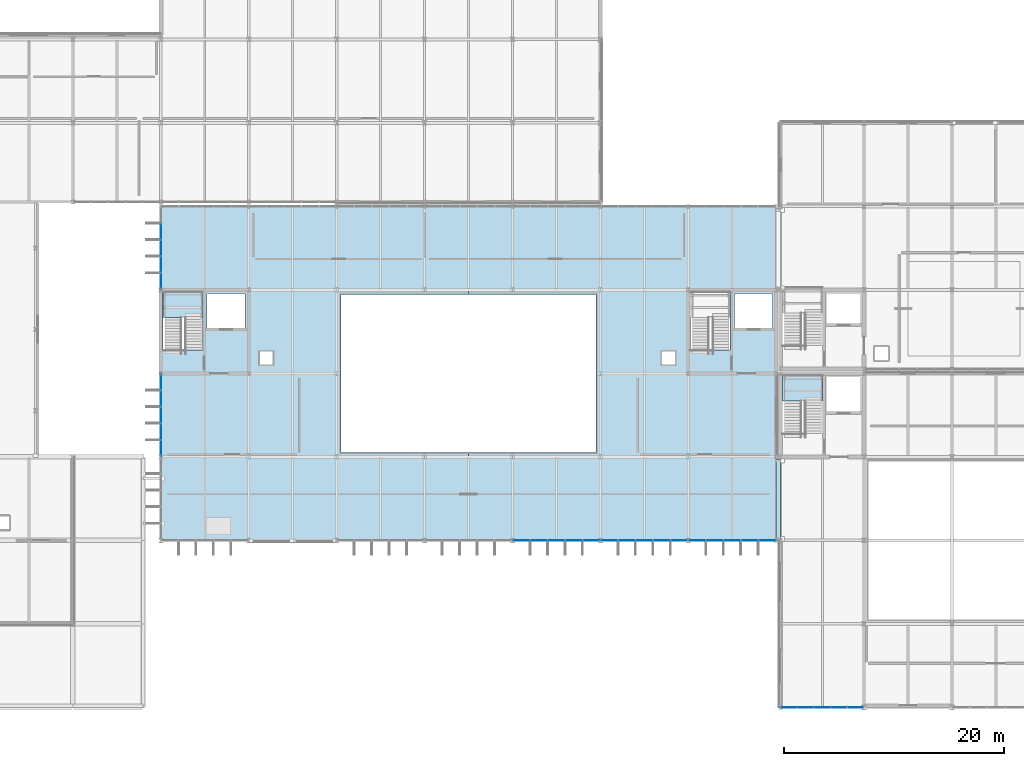
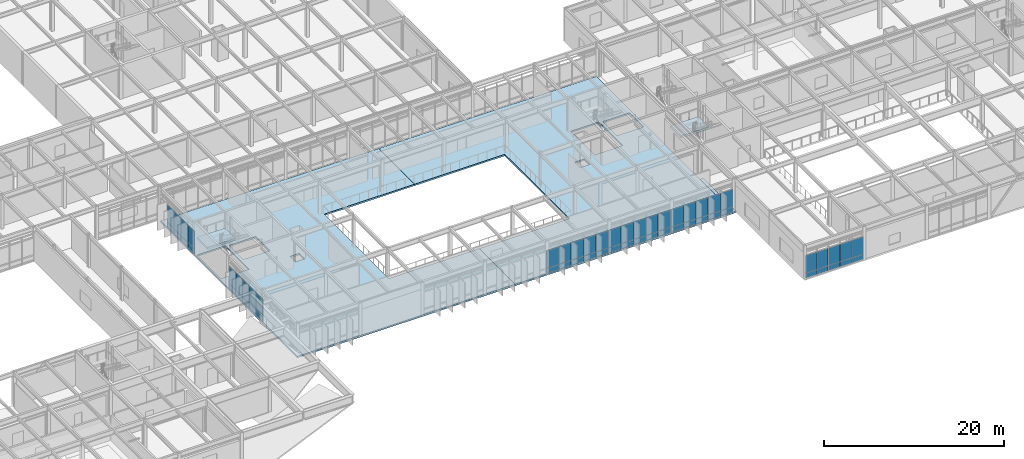
# One storey, part 72 of 104: 58 plates, 5 slabs, 8 elements without a shape of their own.
"""IFC4 building model written with IfcOpenShell, lengths in metres."""

import ifcopenshell
import ifcopenshell.guid

model = None  # the IFC model being written
_history = None  # IfcOwnerHistory: only IFC2X3 demands one
_inside = {}  # id of a spatial element -> (the spatial element, [elements in it])
_under = {}  # id of a project, library or spatial element -> (it, [spatial elements below it])
_declared = {}  # id of a project -> (the project, [libraries it declares])
_typed = {}  # id of a type object -> (the type object, [elements of that type])
_made_of = {}  # id of a material, layer set ... -> (it, [elements and type objects made of it])


def new_model(schema):
    """Start an empty IFC model of exactly this schema.

    Asked for "IFC4X3", IfcOpenShell would pick the latest addendum, in which some entities
    have other attributes; the version numbers below select the first issue.
    IFC2X3 requires an IfcOwnerHistory on every rooted entity: one is made here for all.
    """
    global model, _history
    if schema == "IFC4X3":
        model = ifcopenshell.file(schema_version=(4, 3, 0, 0))
    else:
        model = ifcopenshell.file(schema=schema)
    _inside.clear()
    _under.clear()
    _declared.clear()
    _typed.clear()
    _made_of.clear()
    _history = None
    if model.schema == "IFC2X3":
        org = make("IfcOrganization", Name="unknown")
        user = make(
            "IfcPersonAndOrganization",
            ThePerson=make("IfcPerson", FamilyName="unknown"),
            TheOrganization=org,
        )
        app = make(
            "IfcApplication",
            ApplicationDeveloper=org,
            Version="unknown",
            ApplicationFullName="unknown",
            ApplicationIdentifier="unknown",
        )
        _history = make(
            "IfcOwnerHistory",
            OwningUser=user,
            OwningApplication=app,
            ChangeAction="ADDED",
            CreationDate=0,
        )
    return model


def make(cls, **values):
    """One entity of the class cls with the attributes given. An attribute that is None is left unset."""
    return model.create_entity(
        cls, **{name: value for name, value in values.items() if value is not None}
    )


def rooted(cls, **values):
    """An entity with a GlobalId (a new one), such as an element, a storey or a relation."""
    return make(cls, GlobalId=ifcopenshell.guid.new(), OwnerHistory=_history, **values)


def si_unit(unit_type, name, prefix=None):
    """IfcSIUnit, for example si_unit("LENGTHUNIT", "METRE", prefix="MILLI")."""
    return make("IfcSIUnit", UnitType=unit_type, Prefix=prefix, Name=name)


def assignment(units):
    """IfcUnitAssignment: the units of a project."""
    return None if units is None else make("IfcUnitAssignment", Units=units)


def point(xyz):
    """IfcCartesianPoint."""
    return None if xyz is None else make("IfcCartesianPoint", Coordinates=xyz)


def direction(xyz):
    """IfcDirection."""
    return None if xyz is None else make("IfcDirection", DirectionRatios=xyz)


def frame(location, z_axis=None, x_axis=None):
    """IfcAxis2Placement3D, a coordinate frame: its origin and axes. An axis left out is left unset."""
    return make(
        "IfcAxis2Placement3D",
        Location=point(location),
        Axis=direction(z_axis),
        RefDirection=direction(x_axis),
    )


def frame_2d(location, x_axis=None):
    """IfcAxis2Placement2D, a coordinate frame in the plane: its origin and x axis."""
    return make(
        "IfcAxis2Placement2D", Location=point(location), RefDirection=direction(x_axis)
    )


def origin():
    """The frame at (0, 0, 0) with its axes left unset."""
    return frame((0.0, 0.0, 0.0))


def origin_2d():
    """The frame at (0, 0) in the plane with its x axis left unset."""
    return frame_2d((0.0, 0.0))


def place(relative_to, where):
    """IfcLocalPlacement: puts the frame where relative to a parent placement (None: the world)."""
    return make(
        "IfcLocalPlacement", PlacementRelTo=relative_to, RelativePlacement=where
    )


def context(
    kind, dimensions, precision=None, world=None, true_north=None, identifier=None
):
    """IfcGeometricRepresentationContext, for example the 3D "Model" context."""
    return make(
        "IfcGeometricRepresentationContext",
        ContextIdentifier=identifier,
        ContextType=kind,
        CoordinateSpaceDimension=dimensions,
        Precision=precision,
        WorldCoordinateSystem=world,
        TrueNorth=true_north,
    )


def subcontext(parent, identifier, kind, view, scale=None):
    """IfcGeometricRepresentationSubContext, for example "Body" below "Model"."""
    return make(
        "IfcGeometricRepresentationSubContext",
        ContextIdentifier=identifier,
        ContextType=kind,
        ParentContext=parent,
        TargetScale=scale,
        TargetView=view,
    )


def project(units=None, contexts=None):
    """IfcProject with its units and contexts."""
    return rooted(
        "IfcProject",
        Name="project",
        RepresentationContexts=contexts,
        UnitsInContext=assignment(units),
    )


def spatial(cls, under=None, at=None, **own):
    """A site, building, storey or space (cls), placed at a placement, below another one or the project."""
    s = rooted(cls, ObjectPlacement=at, **own)
    if under is not None:
        _under.setdefault(under.id(), (under, []))[1].append(s)
    return s


def polyline(points):
    """IfcPolyline through the points."""
    return make("IfcPolyline", Points=[point(p) for p in points])


def profile(cls, at=None, kind="AREA", **sizes):
    """A parametric profile (cls). Its sizes go by their IFC names, for example OverallWidth=200.0."""
    return make(cls, ProfileType=kind, Position=at, **sizes)


def rectangle(**sizes):
    """IfcRectangleProfileDef."""
    return profile("IfcRectangleProfileDef", **sizes)


def outline(outer, holes=None, kind="AREA"):
    """IfcArbitraryClosedProfileDef: a profile drawn as a closed curve; with holes, ...WithVoids."""
    if holes is None:
        return make("IfcArbitraryClosedProfileDef", ProfileType=kind, OuterCurve=outer)
    return make(
        "IfcArbitraryProfileDefWithVoids",
        ProfileType=kind,
        OuterCurve=outer,
        InnerCurves=holes,
    )


def extrude(swept, where, along, depth):
    """IfcExtrudedAreaSolid: the profile swept, set in the frame where, extruded along a direction by depth."""
    return make(
        "IfcExtrudedAreaSolid",
        SweptArea=swept,
        Position=where,
        ExtrudedDirection=direction(along),
        Depth=depth,
    )


def shape(context_of_items, identifier, shape_type, items):
    """IfcShapeRepresentation: the items that make up one representation, for example the "Body"."""
    return make(
        "IfcShapeRepresentation",
        ContextOfItems=context_of_items,
        RepresentationIdentifier=identifier,
        RepresentationType=shape_type,
        Items=items,
    )


def material(Name=None, Category=None):
    """IfcMaterial."""
    return make("IfcMaterial", Name=Name, Category=Category)


def layer(
    of_material, thickness, ventilated=None, Name=None, Category=None, Priority=None
):
    """IfcMaterialLayer: one layer of a wall or slab, of a material (None: an air gap)."""
    return make(
        "IfcMaterialLayer",
        Material=of_material,
        LayerThickness=thickness,
        IsVentilated=ventilated,
        Name=Name,
        Category=Category,
        Priority=Priority,
    )


def layer_set(layers, Name=None):
    """IfcMaterialLayerSet."""
    return make("IfcMaterialLayerSet", MaterialLayers=layers, LayerSetName=Name)


def made_of(thing, what):
    """Note that an element or type object is made of a material, layer set ...; save() writes the relation."""
    if what is not None:
        _made_of.setdefault(what.id(), (what, []))[1].append(thing)
    return thing


def type_object(cls, material=None, **own):
    """A type object (cls), such as IfcWallType, which elements share."""
    return made_of(rooted(cls, **own), material)


def element(
    cls,
    number,
    at=None,
    inside=None,
    cuts=None,
    type_object=None,
    material=None,
    context=None,
    identifier="Body",
    shape_type=None,
    held_by="IfcProductDefinitionShape",
    body=None,
    shapes=None,
    **own,
):
    """One element of the class cls, such as IfcWall. Its Tag is "e" and its number.

    at: its placement. inside: the storey or other place that contains it. cuts: it is an
    opening in that element (IfcRelVoidsElement). A single representation is given by context,
    identifier, shape_type and body (its items); several are given by shapes. held_by: the class
    of the entity that holds the representations. save() writes the other relations.
    """
    e = rooted(cls, Tag="e%d" % number, ObjectPlacement=at, **own)
    if body is not None:
        shapes = [shape(context, identifier, shape_type, body)]
    if shapes is not None:
        e.Representation = make(held_by, Representations=shapes)
    if inside is not None:
        _inside.setdefault(inside.id(), (inside, []))[1].append(e)
    if cuts is not None:
        rooted(
            "IfcRelVoidsElement", RelatingBuildingElement=cuts, RelatedOpeningElement=e
        )
    if type_object is not None:
        _typed.setdefault(type_object.id(), (type_object, []))[1].append(e)
    return made_of(e, material)


def aggregate(whole, parts):
    """IfcRelAggregates: a whole, such as a stair, and the parts it consists of."""
    return rooted("IfcRelAggregates", RelatingObject=whole, RelatedObjects=parts)


def save(model, path):
    """Write the relations noted so far, then the file.

    IfcRelAggregates (storeys below a building ...), IfcRelContainedInSpatialStructure (elements
    in a storey), IfcRelDefinesByType, IfcRelAssociatesMaterial and IfcRelDeclares: one each for
    every whole, place, type object, material and project.
    """
    for whole, parts in _under.values():
        aggregate(whole, parts)
    for where, things in _inside.values():
        rooted(
            "IfcRelContainedInSpatialStructure",
            RelatedElements=things,
            RelatingStructure=where,
        )
    for kind, things in _typed.values():
        rooted("IfcRelDefinesByType", RelatedObjects=things, RelatingType=kind)
    for what, things in _made_of.values():
        rooted("IfcRelAssociatesMaterial", RelatedObjects=things, RelatingMaterial=what)
    for by, libraries in _declared.values():
        rooted("IfcRelDeclares", RelatingContext=by, RelatedDefinitions=libraries)
    model.write(path)


model = new_model("IFC4")

# Units and contexts
model_context = context("Model", 3, precision=1e-05, world=origin(), true_north=direction((0.0, 1.0)))
body_context = subcontext(model_context, "Body", "Model", "MODEL_VIEW")
ifc_project = project(units=[si_unit("LENGTHUNIT", "METRE"), si_unit("AREAUNIT", "SQUARE_METRE"), si_unit("VOLUMEUNIT", "CUBIC_METRE"), si_unit("PLANEANGLEUNIT", "RADIAN"), si_unit("MASSUNIT", "GRAM", prefix="KILO")], contexts=[model_context])

# Site, building, storey
site_placement = place(None, origin())
site = spatial("IfcSite", under=ifc_project, at=site_placement, CompositionType="ELEMENT")
building_placement = place(site_placement, origin())
building = spatial("IfcBuilding", under=site, at=building_placement, Name="Zulena Civic Courthouse", CompositionType="ELEMENT")
storey_placement = place(building_placement, frame((0.0, 0.0, 10.800048828125)))
storey = spatial("IfcBuildingStorey", under=building, at=storey_placement, Name="L02", CompositionType="ELEMENT", Elevation=10.800048828125)

# Slab
ifc_material_1 = material(Name="Concrete C35/45", Category="concrete")
ifc_layer_1 = layer(ifc_material_1, 0.195068359375)
ifc_layer_set_1 = layer_set([ifc_layer_1], Name="Concrete C35/45")
slab_type_1 = type_object("IfcSlabType", Name="BridgeSlab_195", PredefinedType="FLOOR", material=ifc_layer_set_1)
slab_1_placement = place(storey_placement, frame((0.0, 0.0, -0.195068359375)))
element("IfcSlab", 1, at=slab_1_placement, inside=storey, type_object=slab_type_1, Name="slab:bridge:BR-41:L02", PredefinedType="FLOOR", context=body_context, shape_type="SweptSolid", body=[
    extrude(outline(polyline([(124.0, 15.199951171875), (124.39990234375, 15.199951171875), (124.39990234375, 22.60009765625), (124.0, 22.60009765625), (124.0, 15.199951171875)])), origin(), (0.0, 0.0, 1.0), 0.195068359375),
])

# Curtain wall, plates
ifc_material_2 = material(Name="Double-silver low-E laminated solar-control glass", Category="glass")
curtain_wall_type_1 = type_object("IfcCurtainWallType", Name="CW_7540x3690", PredefinedType="USERDEFINED", material=ifc_material_2)
curtain_wall_1_placement = place(storey_placement, origin())
curtain_wall_1 = element("IfcCurtainWall", 2, at=curtain_wall_1_placement, inside=storey, type_object=curtain_wall_type_1, Name="cw:V1:L02:3:5", ObjectType="UNITISED CURTAIN WALL", PredefinedType="USERDEFINED")
ifc_material_3 = material(Name="Ceramic-fritted insulated spandrel glass", Category="glass")
ifc_layer_2 = layer(ifc_material_3, 0.0458984375)
ifc_layer_set_2 = layer_set([ifc_layer_2], Name="Ceramic-fritted insulated spandrel glass")
plate_type_1 = type_object("IfcPlateType", Name="CWPanel_Spandrel_46", PredefinedType="CURTAIN_PANEL", material=ifc_layer_set_2)
plate_1_placement = place(storey_placement, frame((131.216064453125, 0.0, 0.070068359375), z_axis=(0.0, 0.0, 1.0), x_axis=(-1.0, 0.0, 0.0)))
plate_1 = element("IfcPlate", 3, at=plate_1_placement, type_object=plate_type_1, Name="cw:V1:L02:3:5:panS:0", PredefinedType="CURTAIN_PANEL", context=body_context, shape_type="SweptSolid", body=[
    extrude(rectangle(XDim=1.4580078125, YDim=0.0458984375, at=origin_2d()), origin(), (0.0, 0.0, 1.0), 0.669921875),
])
plate_2_placement = place(storey_placement, frame((129.7080078125, 0.0, 0.070068359375), z_axis=(0.0, 0.0, 1.0), x_axis=(-1.0, 0.0, 0.0)))
plate_2 = element("IfcPlate", 4, at=plate_2_placement, type_object=plate_type_1, Name="cw:V1:L02:3:5:panS:1", PredefinedType="CURTAIN_PANEL", context=body_context, shape_type="SweptSolid", body=[
    extrude(rectangle(XDim=1.4580078125, YDim=0.0458984375, at=origin_2d()), origin(), (0.0, 0.0, 1.0), 0.669921875),
])
plate_3_placement = place(storey_placement, frame((128.199951171875, 0.0, 0.070068359375), z_axis=(0.0, 0.0, 1.0), x_axis=(-1.0, 0.0, 0.0)))
plate_3 = element("IfcPlate", 5, at=plate_3_placement, type_object=plate_type_1, Name="cw:V1:L02:3:5:panS:2", PredefinedType="CURTAIN_PANEL", context=body_context, shape_type="SweptSolid", body=[
    extrude(rectangle(XDim=1.4580078125, YDim=0.0458984375, at=origin_2d()), origin(), (0.0, 0.0, 1.0), 0.669921875),
])
plate_4_placement = place(storey_placement, frame((126.69189453125, 0.0, 0.070068359375), z_axis=(0.0, 0.0, 1.0), x_axis=(-1.0, 0.0, 0.0)))
plate_4 = element("IfcPlate", 6, at=plate_4_placement, type_object=plate_type_1, Name="cw:V1:L02:3:5:panS:3", PredefinedType="CURTAIN_PANEL", context=body_context, shape_type="SweptSolid", body=[
    extrude(rectangle(XDim=1.4580078125, YDim=0.0458984375, at=origin_2d()), origin(), (0.0, 0.0, 1.0), 0.669921875),
])
plate_5_placement = place(storey_placement, frame((125.18408203125, 0.0, 0.070068359375), z_axis=(0.0, 0.0, 1.0), x_axis=(-1.0, 0.0, 0.0)))
plate_5 = element("IfcPlate", 7, at=plate_5_placement, type_object=plate_type_1, Name="cw:V1:L02:3:5:panS:4", PredefinedType="CURTAIN_PANEL", context=body_context, shape_type="SweptSolid", body=[
    extrude(rectangle(XDim=1.4580078125, YDim=0.0458984375, at=origin_2d()), origin(), (0.0, 0.0, 1.0), 0.669921875),
])

curtain_wall_2_placement = place(storey_placement, origin())
curtain_wall_2 = element("IfcCurtainWall", 8, at=curtain_wall_2_placement, inside=storey, type_object=curtain_wall_type_1, Name="cw:V4:L02:0:1", ObjectType="UNITISED CURTAIN WALL", PredefinedType="USERDEFINED")
plate_6_placement = place(storey_placement, frame((68.0, 23.583984375, 0.070068359375), z_axis=(0.0, 0.0, 1.0), x_axis=(0.0, 1.0, 0.0)))
plate_6 = element("IfcPlate", 9, at=plate_6_placement, type_object=plate_type_1, Name="cw:V4:L02:0:1:panS:0", PredefinedType="CURTAIN_PANEL", context=body_context, shape_type="SweptSolid", body=[
    extrude(rectangle(XDim=1.4580078125, YDim=0.0458984375, at=origin_2d()), origin(), (0.0, 0.0, 1.0), 0.669921875),
])
plate_7_placement = place(storey_placement, frame((68.0, 25.092041015625, 0.070068359375), z_axis=(0.0, 0.0, 1.0), x_axis=(0.0, 1.0, 0.0)))
plate_7 = element("IfcPlate", 10, at=plate_7_placement, type_object=plate_type_1, Name="cw:V4:L02:0:1:panS:1", PredefinedType="CURTAIN_PANEL", context=body_context, shape_type="SweptSolid", body=[
    extrude(rectangle(XDim=1.4580078125, YDim=0.0458984375, at=origin_2d()), origin(), (0.0, 0.0, 1.0), 0.669921875),
])
plate_8_placement = place(storey_placement, frame((68.0, 26.60009765625, 0.070068359375), z_axis=(0.0, 0.0, 1.0), x_axis=(0.0, 1.0, 0.0)))
plate_8 = element("IfcPlate", 11, at=plate_8_placement, type_object=plate_type_1, Name="cw:V4:L02:0:1:panS:2", PredefinedType="CURTAIN_PANEL", context=body_context, shape_type="SweptSolid", body=[
    extrude(rectangle(XDim=1.4580078125, YDim=0.0458984375, at=origin_2d()), origin(), (0.0, 0.0, 1.0), 0.669921875),
])
plate_9_placement = place(storey_placement, frame((68.0, 28.10791015625, 0.070068359375), z_axis=(0.0, 0.0, 1.0), x_axis=(0.0, 1.0, 0.0)))
plate_9 = element("IfcPlate", 12, at=plate_9_placement, type_object=plate_type_1, Name="cw:V4:L02:0:1:panS:3", PredefinedType="CURTAIN_PANEL", context=body_context, shape_type="SweptSolid", body=[
    extrude(rectangle(XDim=1.4580078125, YDim=0.0458984375, at=origin_2d()), origin(), (0.0, 0.0, 1.0), 0.669921875),
])
plate_10_placement = place(storey_placement, frame((68.0, 29.615966796875, 0.070068359375), z_axis=(0.0, 0.0, 1.0), x_axis=(0.0, 1.0, 0.0)))
plate_10 = element("IfcPlate", 13, at=plate_10_placement, type_object=plate_type_1, Name="cw:V4:L02:0:1:panS:4", PredefinedType="CURTAIN_PANEL", context=body_context, shape_type="SweptSolid", body=[
    extrude(rectangle(XDim=1.4580078125, YDim=0.0458984375, at=origin_2d()), origin(), (0.0, 0.0, 1.0), 0.669921875),
])

curtain_wall_3_placement = place(storey_placement, origin())
curtain_wall_3 = element("IfcCurtainWall", 14, at=curtain_wall_3_placement, inside=storey, type_object=curtain_wall_type_1, Name="cw:V4:L02:0:3", ObjectType="UNITISED CURTAIN WALL", PredefinedType="USERDEFINED")
plate_11_placement = place(storey_placement, frame((68.0, 38.783935546875, 0.070068359375), z_axis=(0.0, 0.0, 1.0), x_axis=(0.0, 1.0, 0.0)))
plate_11 = element("IfcPlate", 15, at=plate_11_placement, type_object=plate_type_1, Name="cw:V4:L02:0:3:panS:0", PredefinedType="CURTAIN_PANEL", context=body_context, shape_type="SweptSolid", body=[
    extrude(rectangle(XDim=1.4580078125, YDim=0.0458984375, at=origin_2d()), origin(), (0.0, 0.0, 1.0), 0.669921875),
])
plate_12_placement = place(storey_placement, frame((68.0, 40.2919921875, 0.070068359375), z_axis=(0.0, 0.0, 1.0), x_axis=(0.0, 1.0, 0.0)))
plate_12 = element("IfcPlate", 16, at=plate_12_placement, type_object=plate_type_1, Name="cw:V4:L02:0:3:panS:1", PredefinedType="CURTAIN_PANEL", context=body_context, shape_type="SweptSolid", body=[
    extrude(rectangle(XDim=1.4580078125, YDim=0.0458984375, at=origin_2d()), origin(), (0.0, 0.0, 1.0), 0.669921875),
])
plate_13_placement = place(storey_placement, frame((68.0, 41.800048828125, 0.070068359375), z_axis=(0.0, 0.0, 1.0), x_axis=(0.0, 1.0, 0.0)))
plate_13 = element("IfcPlate", 17, at=plate_13_placement, type_object=plate_type_1, Name="cw:V4:L02:0:3:panS:2", PredefinedType="CURTAIN_PANEL", context=body_context, shape_type="SweptSolid", body=[
    extrude(rectangle(XDim=1.4580078125, YDim=0.0458984375, at=origin_2d()), origin(), (0.0, 0.0, 1.0), 0.669921875),
])
plate_14_placement = place(storey_placement, frame((68.0, 43.30810546875, 0.070068359375), z_axis=(0.0, 0.0, 1.0), x_axis=(0.0, 1.0, 0.0)))
plate_14 = element("IfcPlate", 18, at=plate_14_placement, type_object=plate_type_1, Name="cw:V4:L02:0:3:panS:3", PredefinedType="CURTAIN_PANEL", context=body_context, shape_type="SweptSolid", body=[
    extrude(rectangle(XDim=1.4580078125, YDim=0.0458984375, at=origin_2d()), origin(), (0.0, 0.0, 1.0), 0.669921875),
])

curtain_wall_type_2 = type_object("IfcCurtainWallType", Name="CW_7940x3690", PredefinedType="USERDEFINED", material=ifc_material_2)
curtain_wall_4_placement = place(storey_placement, origin())
curtain_wall_4 = element("IfcCurtainWall", 19, at=curtain_wall_4_placement, inside=storey, type_object=curtain_wall_type_2, Name="cw:V4:L02:3:0", ObjectType="UNITISED CURTAIN WALL", PredefinedType="USERDEFINED")
plate_15_placement = place(storey_placement, frame((123.176025390625, 15.199951171875, 0.070068359375), z_axis=(0.0, 0.0, 1.0), x_axis=(-1.0, 0.0, 0.0)))
plate_15 = element("IfcPlate", 20, at=plate_15_placement, type_object=plate_type_1, Name="cw:V4:L02:3:0:panS:0", PredefinedType="CURTAIN_PANEL", context=body_context, shape_type="SweptSolid", body=[
    extrude(rectangle(XDim=1.5380859375, YDim=0.0458984375, at=origin_2d()), origin(), (0.0, 0.0, 1.0), 0.669921875),
])
plate_16_placement = place(storey_placement, frame((121.587890625, 15.199951171875, 0.070068359375), z_axis=(0.0, 0.0, 1.0), x_axis=(-1.0, 0.0, 0.0)))
plate_16 = element("IfcPlate", 21, at=plate_16_placement, type_object=plate_type_1, Name="cw:V4:L02:3:0:panS:1", PredefinedType="CURTAIN_PANEL", context=body_context, shape_type="SweptSolid", body=[
    extrude(rectangle(XDim=1.5380859375, YDim=0.0458984375, at=origin_2d()), origin(), (0.0, 0.0, 1.0), 0.669921875),
])
plate_17_placement = place(storey_placement, frame((120.0, 15.199951171875, 0.070068359375), z_axis=(0.0, 0.0, 1.0), x_axis=(-1.0, 0.0, 0.0)))
plate_17 = element("IfcPlate", 22, at=plate_17_placement, type_object=plate_type_1, Name="cw:V4:L02:3:0:panS:2", PredefinedType="CURTAIN_PANEL", context=body_context, shape_type="SweptSolid", body=[
    extrude(rectangle(XDim=1.5380859375, YDim=0.0458984375, at=origin_2d()), origin(), (0.0, 0.0, 1.0), 0.669921875),
])
plate_18_placement = place(storey_placement, frame((118.412109375, 15.199951171875, 0.070068359375), z_axis=(0.0, 0.0, 1.0), x_axis=(-1.0, 0.0, 0.0)))
plate_18 = element("IfcPlate", 23, at=plate_18_placement, type_object=plate_type_1, Name="cw:V4:L02:3:0:panS:3", PredefinedType="CURTAIN_PANEL", context=body_context, shape_type="SweptSolid", body=[
    extrude(rectangle(XDim=1.5380859375, YDim=0.0458984375, at=origin_2d()), origin(), (0.0, 0.0, 1.0), 0.669921875),
])
plate_19_placement = place(storey_placement, frame((116.823974609375, 15.199951171875, 0.070068359375), z_axis=(0.0, 0.0, 1.0), x_axis=(-1.0, 0.0, 0.0)))
plate_19 = element("IfcPlate", 24, at=plate_19_placement, type_object=plate_type_1, Name="cw:V4:L02:3:0:panS:4", PredefinedType="CURTAIN_PANEL", context=body_context, shape_type="SweptSolid", body=[
    extrude(rectangle(XDim=1.5380859375, YDim=0.0458984375, at=origin_2d()), origin(), (0.0, 0.0, 1.0), 0.669921875),
])

curtain_wall_5_placement = place(storey_placement, origin())
curtain_wall_5 = element("IfcCurtainWall", 25, at=curtain_wall_5_placement, inside=storey, type_object=curtain_wall_type_2, Name="cw:V4:L02:3:1", ObjectType="UNITISED CURTAIN WALL", PredefinedType="USERDEFINED")
plate_20_placement = place(storey_placement, frame((115.176025390625, 15.199951171875, 0.070068359375), z_axis=(0.0, 0.0, 1.0), x_axis=(-1.0, 0.0, 0.0)))
plate_20 = element("IfcPlate", 26, at=plate_20_placement, type_object=plate_type_1, Name="cw:V4:L02:3:1:panS:0", PredefinedType="CURTAIN_PANEL", context=body_context, shape_type="SweptSolid", body=[
    extrude(rectangle(XDim=1.5380859375, YDim=0.0458984375, at=origin_2d()), origin(), (0.0, 0.0, 1.0), 0.669921875),
])
plate_21_placement = place(storey_placement, frame((113.587890625, 15.199951171875, 0.070068359375), z_axis=(0.0, 0.0, 1.0), x_axis=(-1.0, 0.0, 0.0)))
plate_21 = element("IfcPlate", 27, at=plate_21_placement, type_object=plate_type_1, Name="cw:V4:L02:3:1:panS:1", PredefinedType="CURTAIN_PANEL", context=body_context, shape_type="SweptSolid", body=[
    extrude(rectangle(XDim=1.5380859375, YDim=0.0458984375, at=origin_2d()), origin(), (0.0, 0.0, 1.0), 0.669921875),
])
plate_22_placement = place(storey_placement, frame((112.0, 15.199951171875, 0.070068359375), z_axis=(0.0, 0.0, 1.0), x_axis=(-1.0, 0.0, 0.0)))
plate_22 = element("IfcPlate", 28, at=plate_22_placement, type_object=plate_type_1, Name="cw:V4:L02:3:1:panS:2", PredefinedType="CURTAIN_PANEL", context=body_context, shape_type="SweptSolid", body=[
    extrude(rectangle(XDim=1.5380859375, YDim=0.0458984375, at=origin_2d()), origin(), (0.0, 0.0, 1.0), 0.669921875),
])
plate_23_placement = place(storey_placement, frame((110.412109375, 15.199951171875, 0.070068359375), z_axis=(0.0, 0.0, 1.0), x_axis=(-1.0, 0.0, 0.0)))
plate_23 = element("IfcPlate", 29, at=plate_23_placement, type_object=plate_type_1, Name="cw:V4:L02:3:1:panS:3", PredefinedType="CURTAIN_PANEL", context=body_context, shape_type="SweptSolid", body=[
    extrude(rectangle(XDim=1.5380859375, YDim=0.0458984375, at=origin_2d()), origin(), (0.0, 0.0, 1.0), 0.669921875),
])
plate_24_placement = place(storey_placement, frame((108.823974609375, 15.199951171875, 0.070068359375), z_axis=(0.0, 0.0, 1.0), x_axis=(-1.0, 0.0, 0.0)))
plate_24 = element("IfcPlate", 30, at=plate_24_placement, type_object=plate_type_1, Name="cw:V4:L02:3:1:panS:4", PredefinedType="CURTAIN_PANEL", context=body_context, shape_type="SweptSolid", body=[
    extrude(rectangle(XDim=1.5380859375, YDim=0.0458984375, at=origin_2d()), origin(), (0.0, 0.0, 1.0), 0.669921875),
])

curtain_wall_6_placement = place(storey_placement, origin())
curtain_wall_6 = element("IfcCurtainWall", 31, at=curtain_wall_6_placement, inside=storey, type_object=curtain_wall_type_2, Name="cw:V4:L02:3:2", ObjectType="UNITISED CURTAIN WALL", PredefinedType="USERDEFINED")
plate_25_placement = place(storey_placement, frame((107.176025390625, 15.199951171875, 0.070068359375), z_axis=(0.0, 0.0, 1.0), x_axis=(-1.0, 0.0, 0.0)))
plate_25 = element("IfcPlate", 32, at=plate_25_placement, type_object=plate_type_1, Name="cw:V4:L02:3:2:panS:0", PredefinedType="CURTAIN_PANEL", context=body_context, shape_type="SweptSolid", body=[
    extrude(rectangle(XDim=1.5380859375, YDim=0.0458984375, at=origin_2d()), origin(), (0.0, 0.0, 1.0), 0.669921875),
])
plate_26_placement = place(storey_placement, frame((105.587890625, 15.199951171875, 0.070068359375), z_axis=(0.0, 0.0, 1.0), x_axis=(-1.0, 0.0, 0.0)))
plate_26 = element("IfcPlate", 33, at=plate_26_placement, type_object=plate_type_1, Name="cw:V4:L02:3:2:panS:1", PredefinedType="CURTAIN_PANEL", context=body_context, shape_type="SweptSolid", body=[
    extrude(rectangle(XDim=1.5380859375, YDim=0.0458984375, at=origin_2d()), origin(), (0.0, 0.0, 1.0), 0.669921875),
])
plate_27_placement = place(storey_placement, frame((104.0, 15.199951171875, 0.070068359375), z_axis=(0.0, 0.0, 1.0), x_axis=(-1.0, 0.0, 0.0)))
plate_27 = element("IfcPlate", 34, at=plate_27_placement, type_object=plate_type_1, Name="cw:V4:L02:3:2:panS:2", PredefinedType="CURTAIN_PANEL", context=body_context, shape_type="SweptSolid", body=[
    extrude(rectangle(XDim=1.5380859375, YDim=0.0458984375, at=origin_2d()), origin(), (0.0, 0.0, 1.0), 0.669921875),
])
plate_28_placement = place(storey_placement, frame((102.412109375, 15.199951171875, 0.070068359375), z_axis=(0.0, 0.0, 1.0), x_axis=(-1.0, 0.0, 0.0)))
plate_28 = element("IfcPlate", 35, at=plate_28_placement, type_object=plate_type_1, Name="cw:V4:L02:3:2:panS:3", PredefinedType="CURTAIN_PANEL", context=body_context, shape_type="SweptSolid", body=[
    extrude(rectangle(XDim=1.5380859375, YDim=0.0458984375, at=origin_2d()), origin(), (0.0, 0.0, 1.0), 0.669921875),
])
plate_29_placement = place(storey_placement, frame((100.823974609375, 15.199951171875, 0.070068359375), z_axis=(0.0, 0.0, 1.0), x_axis=(-1.0, 0.0, 0.0)))
plate_29 = element("IfcPlate", 36, at=plate_29_placement, type_object=plate_type_1, Name="cw:V4:L02:3:2:panS:4", PredefinedType="CURTAIN_PANEL", context=body_context, shape_type="SweptSolid", body=[
    extrude(rectangle(XDim=1.5380859375, YDim=0.0458984375, at=origin_2d()), origin(), (0.0, 0.0, 1.0), 0.669921875),
])

# Plate
ifc_layer_3 = layer(ifc_material_2, 0.035888671875)
ifc_layer_set_3 = layer_set([ifc_layer_3], Name="Double-silver low-E laminated solar-control glass")
plate_type_2 = type_object("IfcPlateType", Name="CWPanel_Vision_36", PredefinedType="CURTAIN_PANEL", material=ifc_layer_set_3)
plate_30_placement = place(storey_placement, frame((131.216064453125, 0.0, 0.760009765625), z_axis=(0.0, 0.0, 1.0), x_axis=(-1.0, 0.0, 0.0)))
plate_30 = element("IfcPlate", 37, at=plate_30_placement, type_object=plate_type_2, Name="cw:V1:L02:3:5:panV:0", PredefinedType="CURTAIN_PANEL", context=body_context, shape_type="SweptSolid", body=[
    extrude(rectangle(XDim=1.4580078125, YDim=0.035888671875, at=origin_2d()), origin(), (0.0, 0.0, 1.0), 2.3701171875),
])

plate_31_placement = place(storey_placement, frame((129.7080078125, 0.0, 0.760009765625), z_axis=(0.0, 0.0, 1.0), x_axis=(-1.0, 0.0, 0.0)))
plate_31 = element("IfcPlate", 38, at=plate_31_placement, type_object=plate_type_2, Name="cw:V1:L02:3:5:panV:1", PredefinedType="CURTAIN_PANEL", context=body_context, shape_type="SweptSolid", body=[
    extrude(rectangle(XDim=1.4580078125, YDim=0.035888671875, at=origin_2d()), origin(), (0.0, 0.0, 1.0), 2.3701171875),
])

plate_32_placement = place(storey_placement, frame((128.199951171875, 0.0, 0.760009765625), z_axis=(0.0, 0.0, 1.0), x_axis=(-1.0, 0.0, 0.0)))
plate_32 = element("IfcPlate", 39, at=plate_32_placement, type_object=plate_type_2, Name="cw:V1:L02:3:5:panV:2", PredefinedType="CURTAIN_PANEL", context=body_context, shape_type="SweptSolid", body=[
    extrude(rectangle(XDim=1.4580078125, YDim=0.035888671875, at=origin_2d()), origin(), (0.0, 0.0, 1.0), 2.3701171875),
])

plate_33_placement = place(storey_placement, frame((126.69189453125, 0.0, 0.760009765625), z_axis=(0.0, 0.0, 1.0), x_axis=(-1.0, 0.0, 0.0)))
plate_33 = element("IfcPlate", 40, at=plate_33_placement, type_object=plate_type_2, Name="cw:V1:L02:3:5:panV:3", PredefinedType="CURTAIN_PANEL", context=body_context, shape_type="SweptSolid", body=[
    extrude(rectangle(XDim=1.4580078125, YDim=0.035888671875, at=origin_2d()), origin(), (0.0, 0.0, 1.0), 2.3701171875),
])

plate_34_placement = place(storey_placement, frame((125.18408203125, 0.0, 0.760009765625), z_axis=(0.0, 0.0, 1.0), x_axis=(-1.0, 0.0, 0.0)))
plate_34 = element("IfcPlate", 41, at=plate_34_placement, type_object=plate_type_2, Name="cw:V1:L02:3:5:panV:4", PredefinedType="CURTAIN_PANEL", context=body_context, shape_type="SweptSolid", body=[
    extrude(rectangle(XDim=1.4580078125, YDim=0.035888671875, at=origin_2d()), origin(), (0.0, 0.0, 1.0), 2.3701171875),
])

aggregate(curtain_wall_1, [plate_30, plate_1, plate_31, plate_2, plate_32, plate_3, plate_33, plate_4, plate_34, plate_5])

plate_35_placement = place(storey_placement, frame((68.0, 23.583984375, 0.760009765625), z_axis=(0.0, 0.0, 1.0), x_axis=(0.0, 1.0, 0.0)))
plate_35 = element("IfcPlate", 42, at=plate_35_placement, type_object=plate_type_2, Name="cw:V4:L02:0:1:panV:0", PredefinedType="CURTAIN_PANEL", context=body_context, shape_type="SweptSolid", body=[
    extrude(rectangle(XDim=1.4580078125, YDim=0.035888671875, at=origin_2d()), origin(), (0.0, 0.0, 1.0), 2.3701171875),
])

plate_36_placement = place(storey_placement, frame((68.0, 25.092041015625, 0.760009765625), z_axis=(0.0, 0.0, 1.0), x_axis=(0.0, 1.0, 0.0)))
plate_36 = element("IfcPlate", 43, at=plate_36_placement, type_object=plate_type_2, Name="cw:V4:L02:0:1:panV:1", PredefinedType="CURTAIN_PANEL", context=body_context, shape_type="SweptSolid", body=[
    extrude(rectangle(XDim=1.4580078125, YDim=0.035888671875, at=origin_2d()), origin(), (0.0, 0.0, 1.0), 2.3701171875),
])

plate_37_placement = place(storey_placement, frame((68.0, 26.60009765625, 0.760009765625), z_axis=(0.0, 0.0, 1.0), x_axis=(0.0, 1.0, 0.0)))
plate_37 = element("IfcPlate", 44, at=plate_37_placement, type_object=plate_type_2, Name="cw:V4:L02:0:1:panV:2", PredefinedType="CURTAIN_PANEL", context=body_context, shape_type="SweptSolid", body=[
    extrude(rectangle(XDim=1.4580078125, YDim=0.035888671875, at=origin_2d()), origin(), (0.0, 0.0, 1.0), 2.3701171875),
])

plate_38_placement = place(storey_placement, frame((68.0, 28.10791015625, 0.760009765625), z_axis=(0.0, 0.0, 1.0), x_axis=(0.0, 1.0, 0.0)))
plate_38 = element("IfcPlate", 45, at=plate_38_placement, type_object=plate_type_2, Name="cw:V4:L02:0:1:panV:3", PredefinedType="CURTAIN_PANEL", context=body_context, shape_type="SweptSolid", body=[
    extrude(rectangle(XDim=1.4580078125, YDim=0.035888671875, at=origin_2d()), origin(), (0.0, 0.0, 1.0), 2.3701171875),
])

plate_39_placement = place(storey_placement, frame((68.0, 29.615966796875, 0.760009765625), z_axis=(0.0, 0.0, 1.0), x_axis=(0.0, 1.0, 0.0)))
plate_39 = element("IfcPlate", 46, at=plate_39_placement, type_object=plate_type_2, Name="cw:V4:L02:0:1:panV:4", PredefinedType="CURTAIN_PANEL", context=body_context, shape_type="SweptSolid", body=[
    extrude(rectangle(XDim=1.4580078125, YDim=0.035888671875, at=origin_2d()), origin(), (0.0, 0.0, 1.0), 2.3701171875),
])

aggregate(curtain_wall_2, [plate_35, plate_6, plate_36, plate_7, plate_37, plate_8, plate_38, plate_9, plate_39, plate_10])

plate_40_placement = place(storey_placement, frame((68.0, 38.783935546875, 0.760009765625), z_axis=(0.0, 0.0, 1.0), x_axis=(0.0, 1.0, 0.0)))
plate_40 = element("IfcPlate", 47, at=plate_40_placement, type_object=plate_type_2, Name="cw:V4:L02:0:3:panV:0", PredefinedType="CURTAIN_PANEL", context=body_context, shape_type="SweptSolid", body=[
    extrude(rectangle(XDim=1.4580078125, YDim=0.035888671875, at=origin_2d()), origin(), (0.0, 0.0, 1.0), 2.3701171875),
])

plate_41_placement = place(storey_placement, frame((68.0, 40.2919921875, 0.760009765625), z_axis=(0.0, 0.0, 1.0), x_axis=(0.0, 1.0, 0.0)))
plate_41 = element("IfcPlate", 48, at=plate_41_placement, type_object=plate_type_2, Name="cw:V4:L02:0:3:panV:1", PredefinedType="CURTAIN_PANEL", context=body_context, shape_type="SweptSolid", body=[
    extrude(rectangle(XDim=1.4580078125, YDim=0.035888671875, at=origin_2d()), origin(), (0.0, 0.0, 1.0), 2.3701171875),
])

plate_42_placement = place(storey_placement, frame((68.0, 41.800048828125, 0.760009765625), z_axis=(0.0, 0.0, 1.0), x_axis=(0.0, 1.0, 0.0)))
plate_42 = element("IfcPlate", 49, at=plate_42_placement, type_object=plate_type_2, Name="cw:V4:L02:0:3:panV:2", PredefinedType="CURTAIN_PANEL", context=body_context, shape_type="SweptSolid", body=[
    extrude(rectangle(XDim=1.4580078125, YDim=0.035888671875, at=origin_2d()), origin(), (0.0, 0.0, 1.0), 2.3701171875),
])

plate_43_placement = place(storey_placement, frame((68.0, 43.30810546875, 0.760009765625), z_axis=(0.0, 0.0, 1.0), x_axis=(0.0, 1.0, 0.0)))
plate_43 = element("IfcPlate", 50, at=plate_43_placement, type_object=plate_type_2, Name="cw:V4:L02:0:3:panV:3", PredefinedType="CURTAIN_PANEL", context=body_context, shape_type="SweptSolid", body=[
    extrude(rectangle(XDim=1.4580078125, YDim=0.035888671875, at=origin_2d()), origin(), (0.0, 0.0, 1.0), 2.3701171875),
])

aggregate(curtain_wall_3, [plate_40, plate_11, plate_41, plate_12, plate_42, plate_13, plate_43, plate_14])

plate_44_placement = place(storey_placement, frame((123.176025390625, 15.199951171875, 0.760009765625), z_axis=(0.0, 0.0, 1.0), x_axis=(-1.0, 0.0, 0.0)))
plate_44 = element("IfcPlate", 51, at=plate_44_placement, type_object=plate_type_2, Name="cw:V4:L02:3:0:panV:0", PredefinedType="CURTAIN_PANEL", context=body_context, shape_type="SweptSolid", body=[
    extrude(rectangle(XDim=1.5380859375, YDim=0.035888671875, at=origin_2d()), origin(), (0.0, 0.0, 1.0), 2.3701171875),
])

plate_45_placement = place(storey_placement, frame((121.587890625, 15.199951171875, 0.760009765625), z_axis=(0.0, 0.0, 1.0), x_axis=(-1.0, 0.0, 0.0)))
plate_45 = element("IfcPlate", 52, at=plate_45_placement, type_object=plate_type_2, Name="cw:V4:L02:3:0:panV:1", PredefinedType="CURTAIN_PANEL", context=body_context, shape_type="SweptSolid", body=[
    extrude(rectangle(XDim=1.5380859375, YDim=0.035888671875, at=origin_2d()), origin(), (0.0, 0.0, 1.0), 2.3701171875),
])

plate_46_placement = place(storey_placement, frame((120.0, 15.199951171875, 0.760009765625), z_axis=(0.0, 0.0, 1.0), x_axis=(-1.0, 0.0, 0.0)))
plate_46 = element("IfcPlate", 53, at=plate_46_placement, type_object=plate_type_2, Name="cw:V4:L02:3:0:panV:2", PredefinedType="CURTAIN_PANEL", context=body_context, shape_type="SweptSolid", body=[
    extrude(rectangle(XDim=1.5380859375, YDim=0.035888671875, at=origin_2d()), origin(), (0.0, 0.0, 1.0), 2.3701171875),
])

plate_47_placement = place(storey_placement, frame((118.412109375, 15.199951171875, 0.760009765625), z_axis=(0.0, 0.0, 1.0), x_axis=(-1.0, 0.0, 0.0)))
plate_47 = element("IfcPlate", 54, at=plate_47_placement, type_object=plate_type_2, Name="cw:V4:L02:3:0:panV:3", PredefinedType="CURTAIN_PANEL", context=body_context, shape_type="SweptSolid", body=[
    extrude(rectangle(XDim=1.5380859375, YDim=0.035888671875, at=origin_2d()), origin(), (0.0, 0.0, 1.0), 2.3701171875),
])

plate_48_placement = place(storey_placement, frame((116.823974609375, 15.199951171875, 0.760009765625), z_axis=(0.0, 0.0, 1.0), x_axis=(-1.0, 0.0, 0.0)))
plate_48 = element("IfcPlate", 55, at=plate_48_placement, type_object=plate_type_2, Name="cw:V4:L02:3:0:panV:4", PredefinedType="CURTAIN_PANEL", context=body_context, shape_type="SweptSolid", body=[
    extrude(rectangle(XDim=1.5380859375, YDim=0.035888671875, at=origin_2d()), origin(), (0.0, 0.0, 1.0), 2.3701171875),
])

aggregate(curtain_wall_4, [plate_44, plate_15, plate_45, plate_16, plate_46, plate_17, plate_47, plate_18, plate_48, plate_19])

plate_49_placement = place(storey_placement, frame((115.176025390625, 15.199951171875, 0.760009765625), z_axis=(0.0, 0.0, 1.0), x_axis=(-1.0, 0.0, 0.0)))
plate_49 = element("IfcPlate", 56, at=plate_49_placement, type_object=plate_type_2, Name="cw:V4:L02:3:1:panV:0", PredefinedType="CURTAIN_PANEL", context=body_context, shape_type="SweptSolid", body=[
    extrude(rectangle(XDim=1.5380859375, YDim=0.035888671875, at=origin_2d()), origin(), (0.0, 0.0, 1.0), 2.3701171875),
])

plate_50_placement = place(storey_placement, frame((113.587890625, 15.199951171875, 0.760009765625), z_axis=(0.0, 0.0, 1.0), x_axis=(-1.0, 0.0, 0.0)))
plate_50 = element("IfcPlate", 57, at=plate_50_placement, type_object=plate_type_2, Name="cw:V4:L02:3:1:panV:1", PredefinedType="CURTAIN_PANEL", context=body_context, shape_type="SweptSolid", body=[
    extrude(rectangle(XDim=1.5380859375, YDim=0.035888671875, at=origin_2d()), origin(), (0.0, 0.0, 1.0), 2.3701171875),
])

plate_51_placement = place(storey_placement, frame((112.0, 15.199951171875, 0.760009765625), z_axis=(0.0, 0.0, 1.0), x_axis=(-1.0, 0.0, 0.0)))
plate_51 = element("IfcPlate", 58, at=plate_51_placement, type_object=plate_type_2, Name="cw:V4:L02:3:1:panV:2", PredefinedType="CURTAIN_PANEL", context=body_context, shape_type="SweptSolid", body=[
    extrude(rectangle(XDim=1.5380859375, YDim=0.035888671875, at=origin_2d()), origin(), (0.0, 0.0, 1.0), 2.3701171875),
])

plate_52_placement = place(storey_placement, frame((110.412109375, 15.199951171875, 0.760009765625), z_axis=(0.0, 0.0, 1.0), x_axis=(-1.0, 0.0, 0.0)))
plate_52 = element("IfcPlate", 59, at=plate_52_placement, type_object=plate_type_2, Name="cw:V4:L02:3:1:panV:3", PredefinedType="CURTAIN_PANEL", context=body_context, shape_type="SweptSolid", body=[
    extrude(rectangle(XDim=1.5380859375, YDim=0.035888671875, at=origin_2d()), origin(), (0.0, 0.0, 1.0), 2.3701171875),
])

plate_53_placement = place(storey_placement, frame((108.823974609375, 15.199951171875, 0.760009765625), z_axis=(0.0, 0.0, 1.0), x_axis=(-1.0, 0.0, 0.0)))
plate_53 = element("IfcPlate", 60, at=plate_53_placement, type_object=plate_type_2, Name="cw:V4:L02:3:1:panV:4", PredefinedType="CURTAIN_PANEL", context=body_context, shape_type="SweptSolid", body=[
    extrude(rectangle(XDim=1.5380859375, YDim=0.035888671875, at=origin_2d()), origin(), (0.0, 0.0, 1.0), 2.3701171875),
])

aggregate(curtain_wall_5, [plate_49, plate_20, plate_50, plate_21, plate_51, plate_22, plate_52, plate_23, plate_53, plate_24])

plate_54_placement = place(storey_placement, frame((107.176025390625, 15.199951171875, 0.760009765625), z_axis=(0.0, 0.0, 1.0), x_axis=(-1.0, 0.0, 0.0)))
plate_54 = element("IfcPlate", 61, at=plate_54_placement, type_object=plate_type_2, Name="cw:V4:L02:3:2:panV:0", PredefinedType="CURTAIN_PANEL", context=body_context, shape_type="SweptSolid", body=[
    extrude(rectangle(XDim=1.5380859375, YDim=0.035888671875, at=origin_2d()), origin(), (0.0, 0.0, 1.0), 2.3701171875),
])

plate_55_placement = place(storey_placement, frame((105.587890625, 15.199951171875, 0.760009765625), z_axis=(0.0, 0.0, 1.0), x_axis=(-1.0, 0.0, 0.0)))
plate_55 = element("IfcPlate", 62, at=plate_55_placement, type_object=plate_type_2, Name="cw:V4:L02:3:2:panV:1", PredefinedType="CURTAIN_PANEL", context=body_context, shape_type="SweptSolid", body=[
    extrude(rectangle(XDim=1.5380859375, YDim=0.035888671875, at=origin_2d()), origin(), (0.0, 0.0, 1.0), 2.3701171875),
])

plate_56_placement = place(storey_placement, frame((104.0, 15.199951171875, 0.760009765625), z_axis=(0.0, 0.0, 1.0), x_axis=(-1.0, 0.0, 0.0)))
plate_56 = element("IfcPlate", 63, at=plate_56_placement, type_object=plate_type_2, Name="cw:V4:L02:3:2:panV:2", PredefinedType="CURTAIN_PANEL", context=body_context, shape_type="SweptSolid", body=[
    extrude(rectangle(XDim=1.5380859375, YDim=0.035888671875, at=origin_2d()), origin(), (0.0, 0.0, 1.0), 2.3701171875),
])

plate_57_placement = place(storey_placement, frame((102.412109375, 15.199951171875, 0.760009765625), z_axis=(0.0, 0.0, 1.0), x_axis=(-1.0, 0.0, 0.0)))
plate_57 = element("IfcPlate", 64, at=plate_57_placement, type_object=plate_type_2, Name="cw:V4:L02:3:2:panV:3", PredefinedType="CURTAIN_PANEL", context=body_context, shape_type="SweptSolid", body=[
    extrude(rectangle(XDim=1.5380859375, YDim=0.035888671875, at=origin_2d()), origin(), (0.0, 0.0, 1.0), 2.3701171875),
])

plate_58_placement = place(storey_placement, frame((100.823974609375, 15.199951171875, 0.760009765625), z_axis=(0.0, 0.0, 1.0), x_axis=(-1.0, 0.0, 0.0)))
plate_58 = element("IfcPlate", 65, at=plate_58_placement, type_object=plate_type_2, Name="cw:V4:L02:3:2:panV:4", PredefinedType="CURTAIN_PANEL", context=body_context, shape_type="SweptSolid", body=[
    extrude(rectangle(XDim=1.5380859375, YDim=0.035888671875, at=origin_2d()), origin(), (0.0, 0.0, 1.0), 2.3701171875),
])

aggregate(curtain_wall_6, [plate_54, plate_25, plate_55, plate_26, plate_56, plate_27, plate_57, plate_28, plate_58, plate_29])

# Slabs
ifc_layer_4 = layer(ifc_material_1, 0.215087890625)
ifc_layer_set_4 = layer_set([ifc_layer_4], Name="Concrete C35/45")
slab_type_2 = type_object("IfcSlabType", Name="FloorSlab_215", PredefinedType="FLOOR", material=ifc_layer_set_4)
slab_2_placement = place(storey_placement, frame((0.0, 0.0, -0.215087890625)))
element("IfcSlab", 66, at=slab_2_placement, inside=storey, type_object=slab_type_2, Name="slab:V4:L02_1", PredefinedType="FLOOR", context=body_context, shape_type="SweptSolid", body=[
    extrude(outline(polyline([(68.0, 15.199951171875), (68.0, 45.60009765625), (96.0, 45.60009765625), (96.0, 37.60009765625), (84.39990234375, 37.60009765625), (84.39990234375, 23.199951171875), (96.0, 23.199951171875), (96.0, 15.199951171875), (68.0, 15.199951171875)]), holes=[polyline([(68.18994140625, 32.52001953125), (71.81005859375, 32.52001953125), (71.81005859375, 37.81005859375), (68.18994140625, 37.81005859375), (68.18994140625, 32.52001953125)]), polyline([(72.199951171875, 37.64990234375), (72.199951171875, 34.5), (75.64990234375, 34.5), (75.64990234375, 37.64990234375), (72.199951171875, 37.64990234375)]), polyline([(77.0, 31.199951171875), (78.199951171875, 31.199951171875), (78.199951171875, 32.39990234375), (77.0, 32.39990234375), (77.0, 31.199951171875)])]), origin(), (0.0, 0.0, 1.0), 0.215087890625),
])
slab_3_placement = place(storey_placement, frame((0.0, 0.0, -0.215087890625)))
element("IfcSlab", 67, at=slab_3_placement, inside=storey, type_object=slab_type_2, Name="slab:V4:L02_2", PredefinedType="FLOOR", context=body_context, shape_type="SweptSolid", body=[
    extrude(outline(polyline([(96.0, 15.199951171875), (96.0, 23.199951171875), (107.60009765625, 23.199951171875), (107.60009765625, 37.60009765625), (96.0, 37.60009765625), (96.0, 45.60009765625), (124.0, 45.60009765625), (124.0, 15.199951171875), (96.0, 15.199951171875)]), holes=[polyline([(119.81005859375, 37.81005859375), (116.18994140625, 37.81005859375), (116.18994140625, 32.52001953125), (119.81005859375, 32.52001953125), (119.81005859375, 37.81005859375)]), polyline([(123.64990234375, 34.5), (123.64990234375, 37.64990234375), (120.199951171875, 37.64990234375), (120.199951171875, 34.5), (123.64990234375, 34.5)]), polyline([(113.60009765625, 32.39990234375), (113.60009765625, 31.199951171875), (114.800048828125, 31.199951171875), (114.800048828125, 32.39990234375), (113.60009765625, 32.39990234375)])]), origin(), (0.0, 0.0, 1.0), 0.215087890625),
])

# Stair, slab
ifc_material_4 = material(Name="Precast concrete C40/50", Category="concrete")
stair_type = type_object("IfcStairType", Name="HalfTurnStair_4800", PredefinedType="HALF_TURN_STAIR", material=ifc_material_4)
stair_1_placement = place(storey_placement, origin())
stair_1 = element("IfcStair", 68, at=stair_1_placement, inside=storey, type_object=stair_type, Name="stair:K1A:L02", PredefinedType="HALF_TURN_STAIR")
ifc_layer_5 = layer(ifc_material_4, 0.280029296875)
ifc_layer_set_5 = layer_set([ifc_layer_5], Name="Precast concrete C40/50")
slab_type_3 = type_object("IfcSlabType", Name="StairLandingSlab_280", PredefinedType="LANDING", material=ifc_layer_set_5)
slab_4_placement = place(storey_placement, frame((0.0, 0.0, 2.119873046875)))
slab_4 = element("IfcSlab", 69, at=slab_4_placement, type_object=slab_type_3, Name="stair:K1A:L02:LND", PredefinedType="LANDING", context=body_context, shape_type="SweptSolid", body=[
    extrude(outline(polyline([(124.580078125, 27.89453125), (128.219970703125, 27.89453125), (128.219970703125, 30.219970703125), (124.580078125, 30.219970703125), (124.580078125, 27.89453125)])), origin(), (0.0, 0.0, 1.0), 0.280029296875),
])
aggregate(stair_1, [slab_4])

stair_2_placement = place(storey_placement, origin())
stair_2 = element("IfcStair", 70, at=stair_2_placement, inside=storey, type_object=stair_type, Name="stair:K4A:L02", PredefinedType="HALF_TURN_STAIR")
slab_5_placement = place(storey_placement, frame((0.0, 0.0, 2.119873046875)))
slab_5 = element("IfcSlab", 71, at=slab_5_placement, type_object=slab_type_3, Name="stair:K4A:L02:LND", PredefinedType="LANDING", context=body_context, shape_type="SweptSolid", body=[
    extrude(outline(polyline([(68.179931640625, 35.49462890625), (71.820068359375, 35.49462890625), (71.820068359375, 37.820068359375), (68.179931640625, 37.820068359375), (68.179931640625, 35.49462890625)])), origin(), (0.0, 0.0, 1.0), 0.280029296875),
])
aggregate(stair_2, [slab_5])

save(model, "model.ifc")
